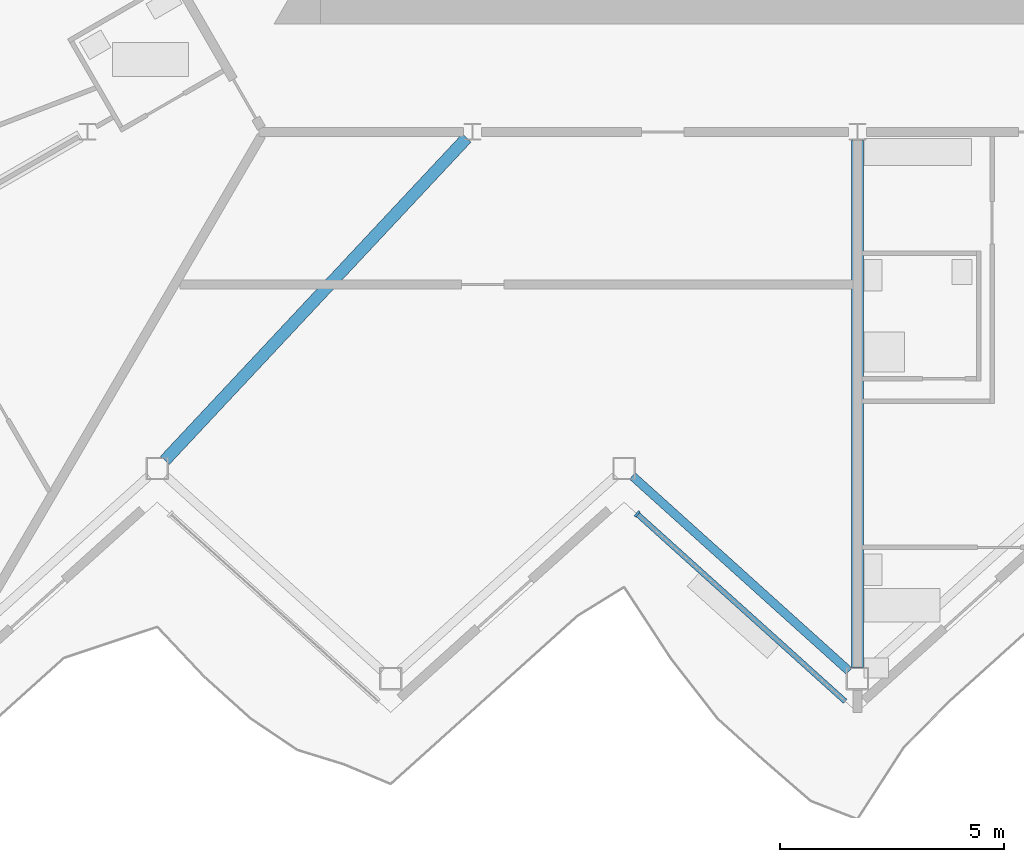
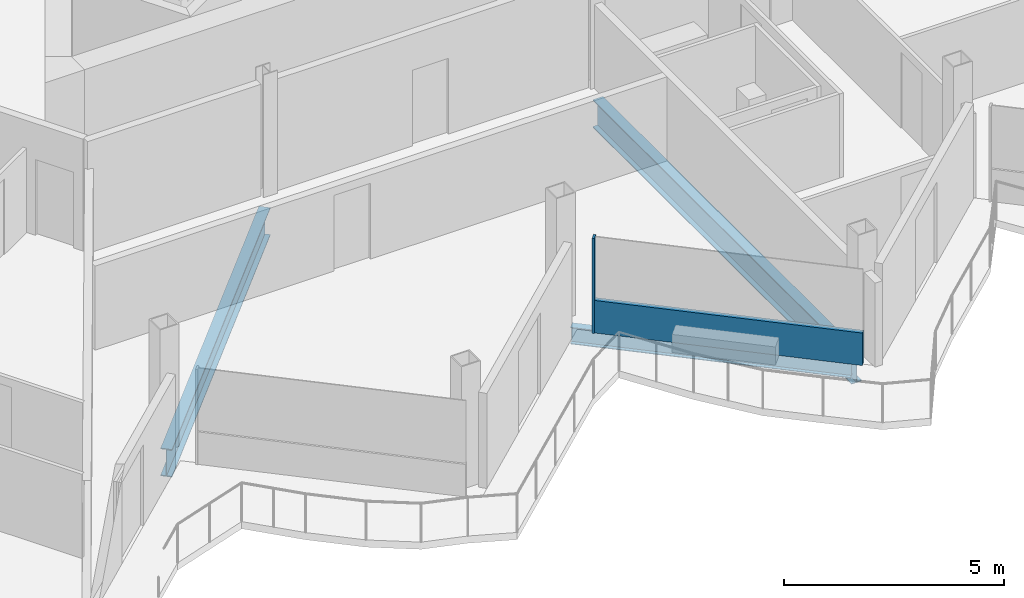
# One storey, part 5 of 26: 3 beams, 2 members, 1 element without a shape of its own.
"""IFC4 building model written with IfcOpenShell, lengths in metres."""

from ifc_helpers import new_model, si_unit, direction, frame, origin, origin_2d, place, context, subcontext, project, spatial, rectangle, i_section, extrude, material, layer, layer_set, material_profile, profile_set, type_object, element, aggregate, save


model = new_model("IFC4")

# Units and contexts
model_context = context("Model", 3, precision=1e-05, world=origin(), true_north=direction((0.0, 1.0)))
body_context = subcontext(model_context, "Body", "Model", "MODEL_VIEW")
ifc_project = project(units=[si_unit("LENGTHUNIT", "METRE"), si_unit("AREAUNIT", "SQUARE_METRE"), si_unit("VOLUMEUNIT", "CUBIC_METRE"), si_unit("PLANEANGLEUNIT", "RADIAN"), si_unit("MASSUNIT", "GRAM", prefix="KILO")], contexts=[model_context])

# Site, building, storey
site_placement = place(None, origin())
site = spatial("IfcSite", under=ifc_project, at=site_placement, CompositionType="ELEMENT")
building_placement = place(site_placement, origin())
building = spatial("IfcBuilding", under=site, at=building_placement, Name="Cormorant Prow Tower", CompositionType="ELEMENT")
storey_placement = place(building_placement, frame((0.0, 0.0, 364.39990234375)))
storey = spatial("IfcBuildingStorey", under=building, at=storey_placement, Name="L81", CompositionType="ELEMENT", Elevation=364.39990234375)

# Beams
ifc_material_1 = material(Name="Structural steel ASTM A992 Gr 50", Category="steel")
ifc_material_profile_1 = material_profile(ifc_material_1, i_section(OverallWidth=0.267822265625, OverallDepth=0.77001953125, WebThickness=0.015625, FlangeThickness=0.025390625, at=origin_2d()), Name="W30x132")
ifc_profile_set_1 = profile_set([ifc_material_profile_1], Name="Structural steel ASTM A992 Gr 50")
beam_type_1 = type_object("IfcBeamType", Name="Radial floor beam W30x132", PredefinedType="BEAM", material=ifc_profile_set_1)
beam_1_placement = place(storey_placement, frame((-8.706298828125, -10.0419921875, -0.684814453125), z_axis=(-0.683430760659, -0.730015339144, 0.0), x_axis=(0.730015339144, -0.683430760659, 0.0)))
element("IfcBeam", 1, at=beam_1_placement, inside=storey, type_object=beam_type_1, Name="Radial floor beam FB3 6 L81", PredefinedType="BEAM", context=body_context, shape_type="SweptSolid", body=[
    extrude(i_section(OverallWidth=0.267822265625, OverallDepth=0.77001953125, WebThickness=0.015625, FlangeThickness=0.025390625, at=origin_2d()), origin(), (0.0, 0.0, 1.0), 9.8369140625),
])
beam_2_placement = place(storey_placement, frame((0.0, -10.092529296875, -0.684814453125), z_axis=(0.0, -1.0, 0.0), x_axis=(1.0, 0.0, 0.0)))
element("IfcBeam", 2, at=beam_2_placement, inside=storey, type_object=beam_type_1, Name="Radial floor beam FB3 7 L81", PredefinedType="BEAM", context=body_context, shape_type="SweptSolid", body=[
    extrude(i_section(OverallWidth=0.267822265625, OverallDepth=0.77001953125, WebThickness=0.015625, FlangeThickness=0.025390625, at=origin_2d()), origin(), (0.0, 0.0, 1.0), 11.745361328125),
])

# Curtain wall, members
ifc_material_2 = material(Name="Aluminium 6063-T6", Category="aluminium")
ifc_layer = layer(ifc_material_2, 0.159912109375)
ifc_layer_set = layer_set([ifc_layer], Name="Aluminium 6063-T6")
curtain_wall_type = type_object("IfcCurtainWallType", Name="Residential unitised curtain wall 160", PredefinedType="NOTDEFINED", material=ifc_layer_set)
curtain_wall_placement = place(storey_placement, origin())
curtain_wall = element("IfcCurtainWall", 3, at=curtain_wall_placement, inside=storey, type_object=curtain_wall_type, Name="Residential curtain wall S04", PredefinedType="NOTDEFINED")
ifc_material_3 = material(Name="Aluminium 6063-T6", Category="aluminium")
ifc_material_profile_2 = material_profile(ifc_material_3, rectangle(XDim=0.159912109375, YDim=0.050048828125, at=origin_2d()), Name="Residential mullion 50x160")
ifc_profile_set_2 = profile_set([ifc_material_profile_2], Name="Aluminium 6063-T6")
member_type_1 = type_object("IfcMemberType", Name="Residential mullion 50x160", PredefinedType="MULLION", material=ifc_profile_set_2)
member_1_placement = place(storey_placement, frame((-4.909423828125, -18.4189453125, 0.0), z_axis=(0.0, 0.0, 1.0), x_axis=(0.669130682884, 0.743144756574, 0.0)))
member_1 = element("IfcMember", 4, at=member_1_placement, type_object=member_type_1, Name="Residential mullion S04", PredefinedType="MULLION", context=body_context, shape_type="SweptSolid", body=[
    extrude(rectangle(XDim=0.159912109375, YDim=0.050048828125, at=origin_2d()), origin(), (0.0, 0.0, 1.0), 2.634033203125),
])
ifc_material_4 = material(Name="Terracotta", Category="masonry")
ifc_material_profile_3 = material_profile(ifc_material_4, rectangle(XDim=0.1201171875, YDim=0.89990234375, at=origin_2d()), Name="Residential terracotta spandrel rail 120x900")
ifc_profile_set_3 = profile_set([ifc_material_profile_3], Name="Terracotta")
member_type_2 = type_object("IfcMemberType", Name="Residential terracotta spandrel rail 120x900", PredefinedType="USERDEFINED", material=ifc_profile_set_3)
member_2_placement = place(storey_placement, frame((-4.890869140625, -18.435791015625, 0.4501953125), z_axis=(0.743159360055, -0.669114463723, 0.0), x_axis=(0.669114463723, 0.743159360055, 0.0)))
member_2 = element("IfcMember", 5, at=member_2_placement, type_object=member_type_2, Name="Residential spandrel rail S04", ObjectType="TRANSOM", PredefinedType="USERDEFINED", context=body_context, shape_type="SweptSolid", body=[
    extrude(rectangle(XDim=0.1201171875, YDim=0.89990234375, at=origin_2d()), origin(), (0.0, 0.0, 1.0), 6.21533203125),
])
aggregate(curtain_wall, [member_1, member_2])

# Beam
ifc_material_5 = material(Name="Structural steel ASTM A992 Gr 50", Category="steel")
ifc_material_profile_4 = material_profile(ifc_material_5, i_section(OverallWidth=0.19287109375, OverallDepth=0.466064453125, WebThickness=0.011474609375, FlangeThickness=0.01904296875, at=origin_2d()), Name="W18x65")
ifc_profile_set_4 = profile_set([ifc_material_profile_4], Name="Structural steel ASTM A992 Gr 50")
beam_type_2 = type_object("IfcBeamType", Name="Spandrel beam W18x65", PredefinedType="SPANDREL", material=ifc_profile_set_4)
beam_3_placement = place(storey_placement, frame((-5.01416015625, -17.572998046875, -0.532958984375), z_axis=(0.743131573737, -0.669145323614, 0.0), x_axis=(0.669145323614, 0.743131573737, 0.0)))
element("IfcBeam", 6, at=beam_3_placement, inside=storey, type_object=beam_type_2, Name="Spandrel beam SB4 S04-S05 L81", PredefinedType="SPANDREL", context=body_context, shape_type="SweptSolid", body=[
    extrude(i_section(OverallWidth=0.19287109375, OverallDepth=0.466064453125, WebThickness=0.011474609375, FlangeThickness=0.01904296875, at=origin_2d()), origin(), (0.0, 0.0, 1.0), 6.497314453125),
])

save(model, "model.ifc")
